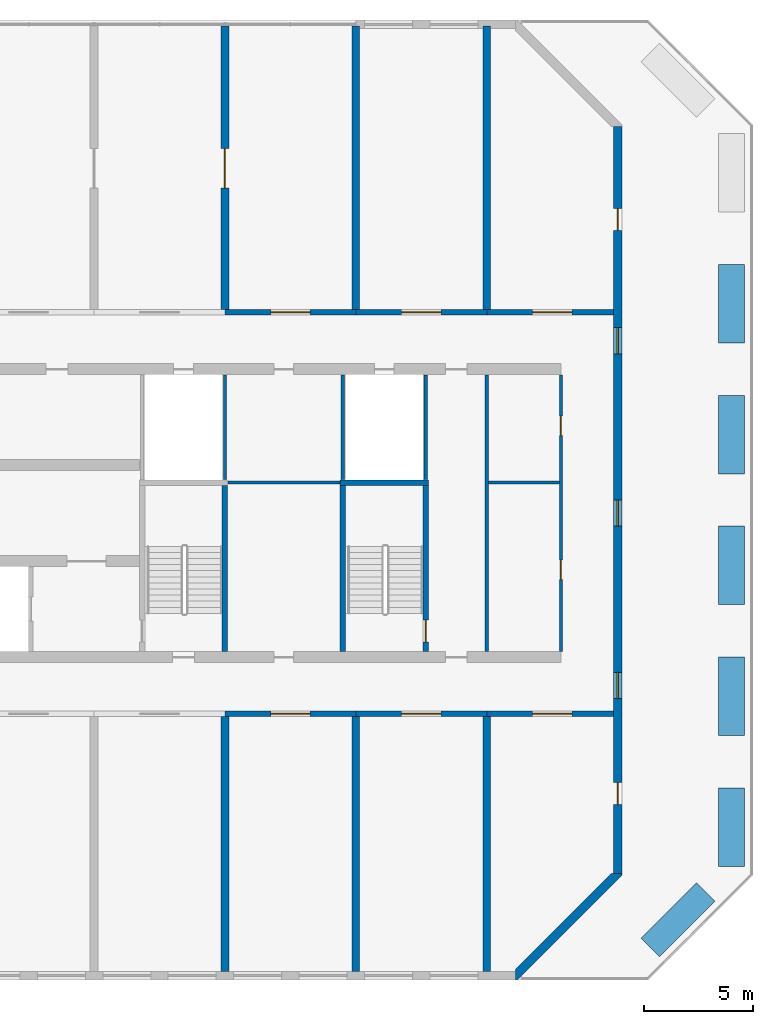
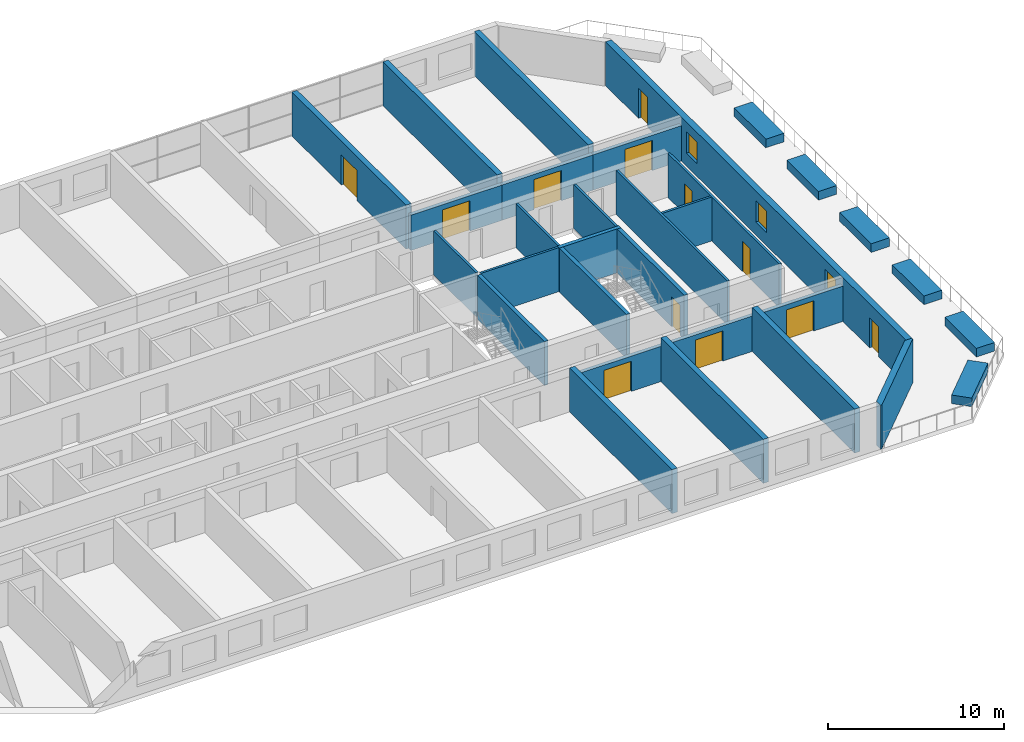
# One storey, part 13 of 18: 31 walls, 12 doors, 3 windows, 15 openings.
"""IFC4 building model written with IfcOpenShell, lengths in metres."""

import ifcopenshell
import ifcopenshell.guid

model = None  # the IFC model being written
_history = None  # IfcOwnerHistory: only IFC2X3 demands one
_inside = {}  # id of a spatial element -> (the spatial element, [elements in it])
_under = {}  # id of a project, library or spatial element -> (it, [spatial elements below it])
_declared = {}  # id of a project -> (the project, [libraries it declares])
_typed = {}  # id of a type object -> (the type object, [elements of that type])
_made_of = {}  # id of a material, layer set ... -> (it, [elements and type objects made of it])


def new_model(schema):
    """Start an empty IFC model of exactly this schema.

    Asked for "IFC4X3", IfcOpenShell would pick the latest addendum, in which some entities
    have other attributes; the version numbers below select the first issue.
    IFC2X3 requires an IfcOwnerHistory on every rooted entity: one is made here for all.
    """
    global model, _history
    if schema == "IFC4X3":
        model = ifcopenshell.file(schema_version=(4, 3, 0, 0))
    else:
        model = ifcopenshell.file(schema=schema)
    _inside.clear()
    _under.clear()
    _declared.clear()
    _typed.clear()
    _made_of.clear()
    _history = None
    if model.schema == "IFC2X3":
        org = make("IfcOrganization", Name="unknown")
        user = make(
            "IfcPersonAndOrganization",
            ThePerson=make("IfcPerson", FamilyName="unknown"),
            TheOrganization=org,
        )
        app = make(
            "IfcApplication",
            ApplicationDeveloper=org,
            Version="unknown",
            ApplicationFullName="unknown",
            ApplicationIdentifier="unknown",
        )
        _history = make(
            "IfcOwnerHistory",
            OwningUser=user,
            OwningApplication=app,
            ChangeAction="ADDED",
            CreationDate=0,
        )
    return model


def make(cls, **values):
    """One entity of the class cls with the attributes given. An attribute that is None is left unset."""
    return model.create_entity(
        cls, **{name: value for name, value in values.items() if value is not None}
    )


def rooted(cls, **values):
    """An entity with a GlobalId (a new one), such as an element, a storey or a relation."""
    return make(cls, GlobalId=ifcopenshell.guid.new(), OwnerHistory=_history, **values)


def si_unit(unit_type, name, prefix=None):
    """IfcSIUnit, for example si_unit("LENGTHUNIT", "METRE", prefix="MILLI")."""
    return make("IfcSIUnit", UnitType=unit_type, Prefix=prefix, Name=name)


def assignment(units):
    """IfcUnitAssignment: the units of a project."""
    return None if units is None else make("IfcUnitAssignment", Units=units)


def point(xyz):
    """IfcCartesianPoint."""
    return None if xyz is None else make("IfcCartesianPoint", Coordinates=xyz)


def direction(xyz):
    """IfcDirection."""
    return None if xyz is None else make("IfcDirection", DirectionRatios=xyz)


def frame(location, z_axis=None, x_axis=None):
    """IfcAxis2Placement3D, a coordinate frame: its origin and axes. An axis left out is left unset."""
    return make(
        "IfcAxis2Placement3D",
        Location=point(location),
        Axis=direction(z_axis),
        RefDirection=direction(x_axis),
    )


def frame_2d(location, x_axis=None):
    """IfcAxis2Placement2D, a coordinate frame in the plane: its origin and x axis."""
    return make(
        "IfcAxis2Placement2D", Location=point(location), RefDirection=direction(x_axis)
    )


def origin():
    """The frame at (0, 0, 0) with its axes left unset."""
    return frame((0.0, 0.0, 0.0))


def place(relative_to, where):
    """IfcLocalPlacement: puts the frame where relative to a parent placement (None: the world)."""
    return make(
        "IfcLocalPlacement", PlacementRelTo=relative_to, RelativePlacement=where
    )


def context(
    kind, dimensions, precision=None, world=None, true_north=None, identifier=None
):
    """IfcGeometricRepresentationContext, for example the 3D "Model" context."""
    return make(
        "IfcGeometricRepresentationContext",
        ContextIdentifier=identifier,
        ContextType=kind,
        CoordinateSpaceDimension=dimensions,
        Precision=precision,
        WorldCoordinateSystem=world,
        TrueNorth=true_north,
    )


def subcontext(parent, identifier, kind, view, scale=None):
    """IfcGeometricRepresentationSubContext, for example "Body" below "Model"."""
    return make(
        "IfcGeometricRepresentationSubContext",
        ContextIdentifier=identifier,
        ContextType=kind,
        ParentContext=parent,
        TargetScale=scale,
        TargetView=view,
    )


def project(units=None, contexts=None):
    """IfcProject with its units and contexts."""
    return rooted(
        "IfcProject",
        Name="project",
        RepresentationContexts=contexts,
        UnitsInContext=assignment(units),
    )


def spatial(cls, under=None, at=None, **own):
    """A site, building, storey or space (cls), placed at a placement, below another one or the project."""
    s = rooted(cls, ObjectPlacement=at, **own)
    if under is not None:
        _under.setdefault(under.id(), (under, []))[1].append(s)
    return s


def polyline(points):
    """IfcPolyline through the points."""
    return make("IfcPolyline", Points=[point(p) for p in points])


def profile(cls, at=None, kind="AREA", **sizes):
    """A parametric profile (cls). Its sizes go by their IFC names, for example OverallWidth=200.0."""
    return make(cls, ProfileType=kind, Position=at, **sizes)


def rectangle(**sizes):
    """IfcRectangleProfileDef."""
    return profile("IfcRectangleProfileDef", **sizes)


def outline(outer, holes=None, kind="AREA"):
    """IfcArbitraryClosedProfileDef: a profile drawn as a closed curve; with holes, ...WithVoids."""
    if holes is None:
        return make("IfcArbitraryClosedProfileDef", ProfileType=kind, OuterCurve=outer)
    return make(
        "IfcArbitraryProfileDefWithVoids",
        ProfileType=kind,
        OuterCurve=outer,
        InnerCurves=holes,
    )


def extrude(swept, where, along, depth):
    """IfcExtrudedAreaSolid: the profile swept, set in the frame where, extruded along a direction by depth."""
    return make(
        "IfcExtrudedAreaSolid",
        SweptArea=swept,
        Position=where,
        ExtrudedDirection=direction(along),
        Depth=depth,
    )


def shape(context_of_items, identifier, shape_type, items):
    """IfcShapeRepresentation: the items that make up one representation, for example the "Body"."""
    return make(
        "IfcShapeRepresentation",
        ContextOfItems=context_of_items,
        RepresentationIdentifier=identifier,
        RepresentationType=shape_type,
        Items=items,
    )


def source(mapping_origin, context_of_items, identifier, shape_type, items):
    """IfcRepresentationMap: a shape defined once, which mapped items show again and again."""
    return make(
        "IfcRepresentationMap",
        MappingOrigin=mapping_origin,
        MappedRepresentation=shape(context_of_items, identifier, shape_type, items),
    )


def transform(
    local_origin,
    x_axis=None,
    y_axis=None,
    z_axis=None,
    scale=None,
    scale2=None,
    scale3=None,
    uniform=True,
):
    """IfcCartesianTransformationOperator3D, or its non-uniform kind. x_axis, y_axis, z_axis: its Axis1, 2, 3."""
    if uniform:
        return make(
            "IfcCartesianTransformationOperator3D",
            Axis1=direction(x_axis),
            Axis2=direction(y_axis),
            LocalOrigin=point(local_origin),
            Scale=scale,
            Axis3=direction(z_axis),
        )
    return make(
        "IfcCartesianTransformationOperator3DnonUniform",
        Axis1=direction(x_axis),
        Axis2=direction(y_axis),
        LocalOrigin=point(local_origin),
        Scale=scale,
        Axis3=direction(z_axis),
        Scale2=scale2,
        Scale3=scale3,
    )


def mapped(mapping_source, mapping_target):
    """IfcMappedItem: shows the shape of a source again, moved by a transform."""
    return make(
        "IfcMappedItem", MappingSource=mapping_source, MappingTarget=mapping_target
    )


def material(Name=None, Category=None):
    """IfcMaterial."""
    return make("IfcMaterial", Name=Name, Category=Category)


def layer(
    of_material, thickness, ventilated=None, Name=None, Category=None, Priority=None
):
    """IfcMaterialLayer: one layer of a wall or slab, of a material (None: an air gap)."""
    return make(
        "IfcMaterialLayer",
        Material=of_material,
        LayerThickness=thickness,
        IsVentilated=ventilated,
        Name=Name,
        Category=Category,
        Priority=Priority,
    )


def layer_set(layers, Name=None):
    """IfcMaterialLayerSet."""
    return make("IfcMaterialLayerSet", MaterialLayers=layers, LayerSetName=Name)


def made_of(thing, what):
    """Note that an element or type object is made of a material, layer set ...; save() writes the relation."""
    if what is not None:
        _made_of.setdefault(what.id(), (what, []))[1].append(thing)
    return thing


def type_object(cls, material=None, **own):
    """A type object (cls), such as IfcWallType, which elements share."""
    return made_of(rooted(cls, **own), material)


def element(
    cls,
    number,
    at=None,
    inside=None,
    cuts=None,
    type_object=None,
    material=None,
    context=None,
    identifier="Body",
    shape_type=None,
    held_by="IfcProductDefinitionShape",
    body=None,
    shapes=None,
    **own,
):
    """One element of the class cls, such as IfcWall. Its Tag is "e" and its number.

    at: its placement. inside: the storey or other place that contains it. cuts: it is an
    opening in that element (IfcRelVoidsElement). A single representation is given by context,
    identifier, shape_type and body (its items); several are given by shapes. held_by: the class
    of the entity that holds the representations. save() writes the other relations.
    """
    e = rooted(cls, Tag="e%d" % number, ObjectPlacement=at, **own)
    if body is not None:
        shapes = [shape(context, identifier, shape_type, body)]
    if shapes is not None:
        e.Representation = make(held_by, Representations=shapes)
    if inside is not None:
        _inside.setdefault(inside.id(), (inside, []))[1].append(e)
    if cuts is not None:
        rooted(
            "IfcRelVoidsElement", RelatingBuildingElement=cuts, RelatedOpeningElement=e
        )
    if type_object is not None:
        _typed.setdefault(type_object.id(), (type_object, []))[1].append(e)
    return made_of(e, material)


def fill(opening, filler):
    """IfcRelFillsElement: the door or window that sits in an opening."""
    return rooted(
        "IfcRelFillsElement",
        RelatingOpeningElement=opening,
        RelatedBuildingElement=filler,
    )


def aggregate(whole, parts):
    """IfcRelAggregates: a whole, such as a stair, and the parts it consists of."""
    return rooted("IfcRelAggregates", RelatingObject=whole, RelatedObjects=parts)


def save(model, path):
    """Write the relations noted so far, then the file.

    IfcRelAggregates (storeys below a building ...), IfcRelContainedInSpatialStructure (elements
    in a storey), IfcRelDefinesByType, IfcRelAssociatesMaterial and IfcRelDeclares: one each for
    every whole, place, type object, material and project.
    """
    for whole, parts in _under.values():
        aggregate(whole, parts)
    for where, things in _inside.values():
        rooted(
            "IfcRelContainedInSpatialStructure",
            RelatedElements=things,
            RelatingStructure=where,
        )
    for kind, things in _typed.values():
        rooted("IfcRelDefinesByType", RelatedObjects=things, RelatingType=kind)
    for what, things in _made_of.values():
        rooted("IfcRelAssociatesMaterial", RelatedObjects=things, RelatingMaterial=what)
    for by, libraries in _declared.values():
        rooted("IfcRelDeclares", RelatingContext=by, RelatedDefinitions=libraries)
    model.write(path)


model = new_model("IFC4")

# Units and contexts
model_context = context("Model", 3, precision=1e-05, world=origin(), true_north=direction((0.0, 1.0)))
body_context = subcontext(model_context, "Body", "Model", "MODEL_VIEW")
ifc_project = project(units=[si_unit("LENGTHUNIT", "METRE"), si_unit("AREAUNIT", "SQUARE_METRE"), si_unit("VOLUMEUNIT", "CUBIC_METRE"), si_unit("PLANEANGLEUNIT", "RADIAN"), si_unit("MASSUNIT", "GRAM", prefix="KILO")], contexts=[model_context])

# Site, building, storey
site_placement = place(None, origin())
site = spatial("IfcSite", under=ifc_project, at=site_placement, CompositionType="ELEMENT")
building_placement = place(site_placement, origin())
building = spatial("IfcBuilding", under=site, at=building_placement, Name="Poui Terraces", CompositionType="ELEMENT")
storey_placement = place(building_placement, frame((0.0, 0.0, 105.89990234375)))
storey = spatial("IfcBuildingStorey", under=building, at=storey_placement, Name="L29", CompositionType="ELEMENT", Elevation=105.89990234375)

# Wall
ifc_material_1 = material(Name="Fire-rated plasterboard wall")
ifc_layer_1 = layer(ifc_material_1, 0.14990234375)
ifc_layer_set_1 = layer_set([ifc_layer_1], Name="Fire-rated plasterboard wall")
wall_type_1 = type_object("IfcWallType", Name="CORRIDOR WALL 150", PredefinedType="PARTITIONING", material=ifc_layer_set_1)
wall_1_placement = place(storey_placement, frame((84.0, 14.860107421875, 0.0), z_axis=(0.0, 0.0, 1.0), x_axis=(0.0, 1.0, 0.0)))
element("IfcWall", 1, at=wall_1_placement, inside=storey, type_object=wall_type_1, Name="CORRIDOR WALL 150", PredefinedType="PARTITIONING", context=body_context, shape_type="SweptSolid", body=[
    extrude(rectangle(XDim=12.679931640625, YDim=0.14990234375, at=frame_2d((6.33984375, 0.0))), origin(), (0.0, 0.0, 1.0), 3.06005859375),
])

# Wall, openings, doors
wall_2_placement = place(storey_placement, frame((87.39990234375, 14.860107421875, 0.0), z_axis=(0.0, 0.0, 1.0), x_axis=(0.0, 1.0, 0.0)))
wall_2 = element("IfcWall", 2, at=wall_2_placement, inside=storey, type_object=wall_type_1, Name="CORRIDOR WALL 150", PredefinedType="PARTITIONING", context=body_context, shape_type="SweptSolid", body=[
    extrude(rectangle(XDim=12.679931640625, YDim=0.14990234375, at=frame_2d((6.33984375, 0.0))), origin(), (0.0, 0.0, 1.0), 3.06005859375),
])
opening_1_placement = place(wall_2_placement, frame((3.2900390625, 0.0, 0.0)))
opening_1 = element("IfcOpeningElement", 3, at=opening_1_placement, cuts=wall_2, Name="Opening D90", PredefinedType="OPENING", context=body_context, shape_type="SweptSolid", body=[
    extrude(rectangle(XDim=0.89990234375, YDim=2.10009765625, at=frame_2d((0.449951171875, 1.050048828125))), frame((0.0, 0.0849609375, 0.0), z_axis=(0.0, -1.0, 0.0), x_axis=(1.0, 0.0, 0.0)), (0.0, 0.0, 1.0), 0.169921875),
])
opening_2_placement = place(wall_2_placement, frame((9.889892578125, 0.0, 0.0)))
opening_2 = element("IfcOpeningElement", 4, at=opening_2_placement, cuts=wall_2, Name="Opening D90", PredefinedType="OPENING", context=body_context, shape_type="SweptSolid", body=[
    extrude(rectangle(XDim=0.89990234375, YDim=2.10009765625, at=frame_2d((0.449951171875, 1.050048828125))), frame((0.0, 0.0849609375, 0.0), z_axis=(0.0, -1.0, 0.0), x_axis=(1.0, 0.0, 0.0)), (0.0, 0.0, 1.0), 0.169921875),
])
ifc_material_2 = material(Name="Solid core timber door", Category="wood")
door_type_1 = type_object("IfcDoorType", Name="INTERNAL DOOR 900 X 2100", OperationType="NOTDEFINED", PredefinedType="DOOR", material=ifc_material_2)
door_1_placement = place(opening_1_placement, frame((0.89990234375, 0.0, 0.0), z_axis=(0.0, 0.0, 1.0), x_axis=(-1.0, 0.0, 0.0)))
door_1 = element("IfcDoor", 5, at=door_1_placement, inside=storey, type_object=door_type_1, Name="INTERNAL DOOR 001", OperationType="SINGLE_SWING_LEFT", OverallHeight=2.10009765625, OverallWidth=0.89990234375, PredefinedType="DOOR", context=body_context, shape_type="SweptSolid", body=[
    extrude(rectangle(XDim=0.89990234375, YDim=2.10009765625, at=frame_2d((0.449951171875, 1.050048828125))), frame((0.0, 0.02490234375, 0.0), z_axis=(0.0, -1.0, 0.0), x_axis=(1.0, 0.0, 0.0)), (0.0, 0.0, 1.0), 0.050048828125),
])
fill(opening_1, door_1)
door_2_placement = place(opening_2_placement, frame((0.89990234375, 0.0, 0.0), z_axis=(0.0, 0.0, 1.0), x_axis=(-1.0, 0.0, 0.0)))
door_2 = element("IfcDoor", 6, at=door_2_placement, inside=storey, type_object=door_type_1, Name="INTERNAL DOOR 002", OperationType="SINGLE_SWING_RIGHT", OverallHeight=2.10009765625, OverallWidth=0.89990234375, PredefinedType="DOOR", context=body_context, shape_type="SweptSolid", body=[
    extrude(rectangle(XDim=0.89990234375, YDim=2.10009765625, at=frame_2d((0.449951171875, 1.050048828125))), frame((0.0, 0.02490234375, 0.0), z_axis=(0.0, -1.0, 0.0), x_axis=(1.0, 0.0, 0.0)), (0.0, 0.0, 1.0), 0.050048828125),
])
fill(opening_2, door_2)

# Wall, opening, door
ifc_material_3 = material(Name="Concrete 65 MPa", Category="concrete")
ifc_layer_2 = layer(ifc_material_3, 0.25)
ifc_layer_set_2 = layer_set([ifc_layer_2], Name="Concrete 65 MPa")
wall_type_2 = type_object("IfcWallType", Name="CORRIDOR WALL 250 65MPa", PredefinedType="SHEAR", material=ifc_layer_set_2)
wall_3_placement = place(storey_placement, frame((72.0, 12.0, 0.0), z_axis=(0.0, 0.0, 1.0), x_axis=(1.0, 0.0, 0.0)))
wall_3 = element("IfcWall", 7, at=wall_3_placement, inside=storey, type_object=wall_type_2, Name="CORRIDOR WALL LINE B BAY 11", PredefinedType="SHEAR", context=body_context, shape_type="SweptSolid", body=[
    extrude(rectangle(XDim=6.0, YDim=0.25, at=frame_2d((3.0, 0.0))), origin(), (0.0, 0.0, 1.0), 2.460205078125),
])
opening_3_placement = place(wall_3_placement, frame((2.10009765625, 0.0, 0.0)))
opening_3 = element("IfcOpeningElement", 8, at=opening_3_placement, cuts=wall_3, Name="Opening DD180", PredefinedType="OPENING", context=body_context, shape_type="SweptSolid", body=[
    extrude(rectangle(XDim=1.800048828125, YDim=2.10009765625, at=frame_2d((0.89990234375, 1.050048828125))), frame((0.0, 0.135009765625, 0.0), z_axis=(0.0, -1.0, 0.0), x_axis=(1.0, 0.0, 0.0)), (0.0, 0.0, 1.0), 0.27001953125),
])
ifc_material_4 = material(Name="Steel fire door", Category="steel")
door_type_2 = type_object("IfcDoorType", Name="DOUBLE INTERNAL DOOR 1800 X 2100", OperationType="DOUBLE_DOOR_SINGLE_SWING", PredefinedType="DOOR", material=ifc_material_4)
door_3_placement = place(opening_3_placement, origin())
door_3 = element("IfcDoor", 9, at=door_3_placement, inside=storey, type_object=door_type_2, Name="DOUBLE INTERNAL DOOR 050", OperationType="DOUBLE_DOOR_SINGLE_SWING", OverallHeight=2.10009765625, OverallWidth=1.800048828125, PredefinedType="DOOR", context=body_context, shape_type="SweptSolid", body=[
    extrude(rectangle(XDim=1.800048828125, YDim=2.10009765625, at=frame_2d((0.89990234375, 1.050048828125))), frame((0.0, 0.02490234375, 0.0), z_axis=(0.0, -1.0, 0.0), x_axis=(1.0, 0.0, 0.0)), (0.0, 0.0, 1.0), 0.050048828125),
])
fill(opening_3, door_3)

wall_4_placement = place(storey_placement, frame((78.0, 12.0, 0.0), z_axis=(0.0, 0.0, 1.0), x_axis=(1.0, 0.0, 0.0)))
wall_4 = element("IfcWall", 10, at=wall_4_placement, inside=storey, type_object=wall_type_2, Name="CORRIDOR WALL LINE B BAY 12", PredefinedType="SHEAR", context=body_context, shape_type="SweptSolid", body=[
    extrude(rectangle(XDim=6.0, YDim=0.25, at=frame_2d((3.0, 0.0))), origin(), (0.0, 0.0, 1.0), 2.460205078125),
])
opening_4_placement = place(wall_4_placement, frame((2.10009765625, 0.0, 0.0)))
opening_4 = element("IfcOpeningElement", 11, at=opening_4_placement, cuts=wall_4, Name="Opening DD180", PredefinedType="OPENING", context=body_context, shape_type="SweptSolid", body=[
    extrude(rectangle(XDim=1.800048828125, YDim=2.10009765625, at=frame_2d((0.89990234375, 1.050048828125))), frame((0.0, 0.135009765625, 0.0), z_axis=(0.0, -1.0, 0.0), x_axis=(1.0, 0.0, 0.0)), (0.0, 0.0, 1.0), 0.27001953125),
])
door_4_placement = place(opening_4_placement, origin())
door_4 = element("IfcDoor", 12, at=door_4_placement, inside=storey, type_object=door_type_2, Name="DOUBLE INTERNAL DOOR 051", OperationType="DOUBLE_DOOR_SINGLE_SWING", OverallHeight=2.10009765625, OverallWidth=1.800048828125, PredefinedType="DOOR", context=body_context, shape_type="SweptSolid", body=[
    extrude(rectangle(XDim=1.800048828125, YDim=2.10009765625, at=frame_2d((0.89990234375, 1.050048828125))), frame((0.0, 0.02490234375, 0.0), z_axis=(0.0, -1.0, 0.0), x_axis=(1.0, 0.0, 0.0)), (0.0, 0.0, 1.0), 0.050048828125),
])
fill(opening_4, door_4)

wall_5_placement = place(storey_placement, frame((84.0, 12.0, 0.0), z_axis=(0.0, 0.0, 1.0), x_axis=(1.0, 0.0, 0.0)))
wall_5 = element("IfcWall", 13, at=wall_5_placement, inside=storey, type_object=wall_type_2, Name="CORRIDOR WALL LINE B BAY 13", PredefinedType="SHEAR", context=body_context, shape_type="SweptSolid", body=[
    extrude(rectangle(XDim=5.800048828125, YDim=0.25, at=frame_2d((2.89990234375, 0.0))), origin(), (0.0, 0.0, 1.0), 2.460205078125),
])
opening_5_placement = place(wall_5_placement, frame((2.10009765625, 0.0, 0.0)))
opening_5 = element("IfcOpeningElement", 14, at=opening_5_placement, cuts=wall_5, Name="Opening DD180", PredefinedType="OPENING", context=body_context, shape_type="SweptSolid", body=[
    extrude(rectangle(XDim=1.800048828125, YDim=2.10009765625, at=frame_2d((0.89990234375, 1.050048828125))), frame((0.0, 0.135009765625, 0.0), z_axis=(0.0, -1.0, 0.0), x_axis=(1.0, 0.0, 0.0)), (0.0, 0.0, 1.0), 0.27001953125),
])
door_5_placement = place(opening_5_placement, origin())
door_5 = element("IfcDoor", 15, at=door_5_placement, inside=storey, type_object=door_type_2, Name="DOUBLE INTERNAL DOOR 053", OperationType="DOUBLE_DOOR_SINGLE_SWING", OverallHeight=2.10009765625, OverallWidth=1.800048828125, PredefinedType="DOOR", context=body_context, shape_type="SweptSolid", body=[
    extrude(rectangle(XDim=1.800048828125, YDim=2.10009765625, at=frame_2d((0.89990234375, 1.050048828125))), frame((0.0, 0.02490234375, 0.0), z_axis=(0.0, -1.0, 0.0), x_axis=(1.0, 0.0, 0.0)), (0.0, 0.0, 1.0), 0.050048828125),
])
fill(opening_5, door_5)

wall_6_placement = place(storey_placement, frame((72.0, 30.39990234375, 0.0), z_axis=(0.0, 0.0, 1.0), x_axis=(1.0, 0.0, 0.0)))
wall_6 = element("IfcWall", 16, at=wall_6_placement, inside=storey, type_object=wall_type_2, Name="CORRIDOR WALL LINE E BAY 11", PredefinedType="SHEAR", context=body_context, shape_type="SweptSolid", body=[
    extrude(rectangle(XDim=6.0, YDim=0.25, at=frame_2d((3.0, 0.0))), origin(), (0.0, 0.0, 1.0), 2.460205078125),
])
opening_6_placement = place(wall_6_placement, frame((2.10009765625, 0.0, 0.0)))
opening_6 = element("IfcOpeningElement", 17, at=opening_6_placement, cuts=wall_6, Name="Opening DD180", PredefinedType="OPENING", context=body_context, shape_type="SweptSolid", body=[
    extrude(rectangle(XDim=1.800048828125, YDim=2.10009765625, at=frame_2d((0.89990234375, 1.050048828125))), frame((0.0, 0.135009765625, 0.0), z_axis=(0.0, -1.0, 0.0), x_axis=(1.0, 0.0, 0.0)), (0.0, 0.0, 1.0), 0.27001953125),
])
door_6_placement = place(opening_6_placement, frame((1.800048828125, 0.0, 0.0), z_axis=(0.0, 0.0, 1.0), x_axis=(-1.0, 0.0, 0.0)))
door_6 = element("IfcDoor", 18, at=door_6_placement, inside=storey, type_object=door_type_2, Name="DOUBLE INTERNAL DOOR 026", OperationType="DOUBLE_DOOR_SINGLE_SWING", OverallHeight=2.10009765625, OverallWidth=1.800048828125, PredefinedType="DOOR", context=body_context, shape_type="SweptSolid", body=[
    extrude(rectangle(XDim=1.800048828125, YDim=2.10009765625, at=frame_2d((0.89990234375, 1.050048828125))), frame((0.0, 0.02490234375, 0.0), z_axis=(0.0, -1.0, 0.0), x_axis=(1.0, 0.0, 0.0)), (0.0, 0.0, 1.0), 0.050048828125),
])
fill(opening_6, door_6)

wall_7_placement = place(storey_placement, frame((78.0, 30.39990234375, 0.0), z_axis=(0.0, 0.0, 1.0), x_axis=(1.0, 0.0, 0.0)))
wall_7 = element("IfcWall", 19, at=wall_7_placement, inside=storey, type_object=wall_type_2, Name="CORRIDOR WALL LINE E BAY 12", PredefinedType="SHEAR", context=body_context, shape_type="SweptSolid", body=[
    extrude(rectangle(XDim=6.0, YDim=0.25, at=frame_2d((3.0, 0.0))), origin(), (0.0, 0.0, 1.0), 2.460205078125),
])
opening_7_placement = place(wall_7_placement, frame((2.10009765625, 0.0, 0.0)))
opening_7 = element("IfcOpeningElement", 20, at=opening_7_placement, cuts=wall_7, Name="Opening DD180", PredefinedType="OPENING", context=body_context, shape_type="SweptSolid", body=[
    extrude(rectangle(XDim=1.800048828125, YDim=2.10009765625, at=frame_2d((0.89990234375, 1.050048828125))), frame((0.0, 0.135009765625, 0.0), z_axis=(0.0, -1.0, 0.0), x_axis=(1.0, 0.0, 0.0)), (0.0, 0.0, 1.0), 0.27001953125),
])
door_7_placement = place(opening_7_placement, frame((1.800048828125, 0.0, 0.0), z_axis=(0.0, 0.0, 1.0), x_axis=(-1.0, 0.0, 0.0)))
door_7 = element("IfcDoor", 21, at=door_7_placement, inside=storey, type_object=door_type_2, Name="DOUBLE INTERNAL DOOR 028", OperationType="DOUBLE_DOOR_SINGLE_SWING", OverallHeight=2.10009765625, OverallWidth=1.800048828125, PredefinedType="DOOR", context=body_context, shape_type="SweptSolid", body=[
    extrude(rectangle(XDim=1.800048828125, YDim=2.10009765625, at=frame_2d((0.89990234375, 1.050048828125))), frame((0.0, 0.02490234375, 0.0), z_axis=(0.0, -1.0, 0.0), x_axis=(1.0, 0.0, 0.0)), (0.0, 0.0, 1.0), 0.050048828125),
])
fill(opening_7, door_7)

wall_8_placement = place(storey_placement, frame((84.0, 30.39990234375, 0.0), z_axis=(0.0, 0.0, 1.0), x_axis=(1.0, 0.0, 0.0)))
wall_8 = element("IfcWall", 22, at=wall_8_placement, inside=storey, type_object=wall_type_2, Name="CORRIDOR WALL LINE E BAY 13", PredefinedType="SHEAR", context=body_context, shape_type="SweptSolid", body=[
    extrude(rectangle(XDim=5.800048828125, YDim=0.25, at=frame_2d((2.89990234375, 0.0))), origin(), (0.0, 0.0, 1.0), 2.460205078125),
])
opening_8_placement = place(wall_8_placement, frame((2.10009765625, 0.0, 0.0)))
opening_8 = element("IfcOpeningElement", 23, at=opening_8_placement, cuts=wall_8, Name="Opening DD180", PredefinedType="OPENING", context=body_context, shape_type="SweptSolid", body=[
    extrude(rectangle(XDim=1.800048828125, YDim=2.10009765625, at=frame_2d((0.89990234375, 1.050048828125))), frame((0.0, 0.135009765625, 0.0), z_axis=(0.0, -1.0, 0.0), x_axis=(1.0, 0.0, 0.0)), (0.0, 0.0, 1.0), 0.27001953125),
])
door_8_placement = place(opening_8_placement, frame((1.800048828125, 0.0, 0.0), z_axis=(0.0, 0.0, 1.0), x_axis=(-1.0, 0.0, 0.0)))
door_8 = element("IfcDoor", 24, at=door_8_placement, inside=storey, type_object=door_type_2, Name="DOUBLE INTERNAL DOOR 030", OperationType="DOUBLE_DOOR_SINGLE_SWING", OverallHeight=2.10009765625, OverallWidth=1.800048828125, PredefinedType="DOOR", context=body_context, shape_type="SweptSolid", body=[
    extrude(rectangle(XDim=1.800048828125, YDim=2.10009765625, at=frame_2d((0.89990234375, 1.050048828125))), frame((0.0, 0.02490234375, 0.0), z_axis=(0.0, -1.0, 0.0), x_axis=(1.0, 0.0, 0.0)), (0.0, 0.0, 1.0), 0.050048828125),
])
fill(opening_8, door_8)

# Wall
ifc_layer_3 = layer(ifc_material_3, 0.35009765625)
ifc_layer_set_3 = layer_set([ifc_layer_3], Name="Concrete 65 MPa")
wall_type_3 = type_object("IfcWallType", Name="CROSS WALL 350 65MPa", PredefinedType="SHEAR", material=ifc_layer_set_3)
wall_9_placement = place(storey_placement, frame((72.0, 0.199951171875, 0.0), z_axis=(0.0, 0.0, 1.0), x_axis=(0.0, 1.0, 0.0)))
element("IfcWall", 25, at=wall_9_placement, inside=storey, type_object=wall_type_3, Name="CROSS WALL LINE 13 SOUTH", PredefinedType="SHEAR", context=body_context, shape_type="SweptSolid", body=[
    extrude(rectangle(XDim=11.675048828125, YDim=0.35009765625, at=frame_2d((5.83740234375, 0.0))), origin(), (0.0, 0.0, 1.0), 3.06005859375),
])

# Wall, opening, door
wall_10_placement = place(storey_placement, frame((72.0, 30.52490234375, 0.0), z_axis=(0.0, 0.0, 1.0), x_axis=(0.0, 1.0, 0.0)))
wall_10 = element("IfcWall", 26, at=wall_10_placement, inside=storey, type_object=wall_type_3, Name="CROSS WALL LINE 13 NORTH", PredefinedType="SHEAR", context=body_context, shape_type="SweptSolid", body=[
    extrude(rectangle(XDim=13.0, YDim=0.35009765625, at=frame_2d((6.5, 0.0))), origin(), (0.0, 0.0, 1.0), 3.06005859375),
])
opening_9_placement = place(wall_10_placement, frame((5.574951171875, 0.0, 0.0)))
opening_9 = element("IfcOpeningElement", 27, at=opening_9_placement, cuts=wall_10, Name="Opening DD180", PredefinedType="OPENING", context=body_context, shape_type="SweptSolid", body=[
    extrude(rectangle(XDim=1.800048828125, YDim=2.10009765625, at=frame_2d((0.89990234375, 1.050048828125))), frame((0.0, 0.18505859375, 0.0), z_axis=(0.0, -1.0, 0.0), x_axis=(1.0, 0.0, 0.0)), (0.0, 0.0, 1.0), 0.3701171875),
])
door_9_placement = place(opening_9_placement, origin())
door_9 = element("IfcDoor", 28, at=door_9_placement, inside=storey, type_object=door_type_2, Name="DOUBLE INTERNAL DOOR 063", OperationType="DOUBLE_DOOR_SINGLE_SWING", OverallHeight=2.10009765625, OverallWidth=1.800048828125, PredefinedType="DOOR", context=body_context, shape_type="SweptSolid", body=[
    extrude(rectangle(XDim=1.800048828125, YDim=2.10009765625, at=frame_2d((0.89990234375, 1.050048828125))), frame((0.0, 0.02490234375, 0.0), z_axis=(0.0, -1.0, 0.0), x_axis=(1.0, 0.0, 0.0)), (0.0, 0.0, 1.0), 0.050048828125),
])
fill(opening_9, door_9)

# Walls
wall_11_placement = place(storey_placement, frame((78.0, 0.199951171875, 0.0), z_axis=(0.0, 0.0, 1.0), x_axis=(0.0, 1.0, 0.0)))
element("IfcWall", 29, at=wall_11_placement, inside=storey, type_object=wall_type_3, Name="CROSS WALL LINE 14 SOUTH", PredefinedType="SHEAR", context=body_context, shape_type="SweptSolid", body=[
    extrude(rectangle(XDim=11.675048828125, YDim=0.35009765625, at=frame_2d((5.83740234375, 0.0))), origin(), (0.0, 0.0, 1.0), 3.06005859375),
])
wall_12_placement = place(storey_placement, frame((78.0, 30.52490234375, 0.0), z_axis=(0.0, 0.0, 1.0), x_axis=(0.0, 1.0, 0.0)))
element("IfcWall", 30, at=wall_12_placement, inside=storey, type_object=wall_type_3, Name="CROSS WALL LINE 14 NORTH", PredefinedType="SHEAR", context=body_context, shape_type="SweptSolid", body=[
    extrude(rectangle(XDim=13.0, YDim=0.35009765625, at=frame_2d((6.5, 0.0))), origin(), (0.0, 0.0, 1.0), 3.06005859375),
])
wall_13_placement = place(storey_placement, frame((84.0, 0.199951171875, 0.0), z_axis=(0.0, 0.0, 1.0), x_axis=(0.0, 1.0, 0.0)))
element("IfcWall", 31, at=wall_13_placement, inside=storey, type_object=wall_type_3, Name="CROSS WALL LINE 15 SOUTH", PredefinedType="SHEAR", context=body_context, shape_type="SweptSolid", body=[
    extrude(rectangle(XDim=11.675048828125, YDim=0.35009765625, at=frame_2d((5.83740234375, 0.0))), origin(), (0.0, 0.0, 1.0), 3.06005859375),
])
wall_14_placement = place(storey_placement, frame((84.0, 30.52490234375, 0.0), z_axis=(0.0, 0.0, 1.0), x_axis=(0.0, 1.0, 0.0)))
element("IfcWall", 32, at=wall_14_placement, inside=storey, type_object=wall_type_3, Name="CROSS WALL LINE 15 NORTH", PredefinedType="SHEAR", context=body_context, shape_type="SweptSolid", body=[
    extrude(rectangle(XDim=13.0, YDim=0.35009765625, at=frame_2d((6.5, 0.0))), origin(), (0.0, 0.0, 1.0), 3.06005859375),
])

# Wall, openings, doors, windows
ifc_layer_4 = layer(ifc_material_3, 0.39990234375)
ifc_layer_set_4 = layer_set([ifc_layer_4], Name="Concrete 65 MPa")
wall_type_4 = type_object("IfcWallType", Name="END WALL 400 65MPa", PredefinedType="SHEAR", material=ifc_layer_set_4)
wall_15_placement = place(storey_placement, frame((90.0, 4.682861328125, 0.0), z_axis=(0.0, 0.0, 1.0), x_axis=(0.0, 1.0, 0.0)))
wall_15 = element("IfcWall", 33, at=wall_15_placement, inside=storey, type_object=wall_type_4, Name="END WALL EAST", PredefinedType="SHEAR", context=body_context, shape_type="SweptSolid", body=[
    extrude(rectangle(XDim=34.234375, YDim=0.39990234375, at=frame_2d((17.1171875, 0.0))), origin(), (0.0, 0.0, 1.0), 3.06005859375),
])
opening_10_placement = place(wall_15_placement, frame((15.917236328125, 0.0, 0.89990234375)))
opening_10 = element("IfcOpeningElement", 34, at=opening_10_placement, cuts=wall_15, Name="Opening W2", PredefinedType="OPENING", context=body_context, shape_type="SweptSolid", body=[
    extrude(rectangle(XDim=1.199951171875, YDim=1.5, at=frame_2d((0.60009765625, 0.75))), frame((0.0, 0.2099609375, 0.0), z_axis=(0.0, -1.0, 0.0), x_axis=(1.0, 0.0, 0.0)), (0.0, 0.0, 1.0), 0.419921875),
])
opening_11_placement = place(wall_15_placement, frame((23.817138671875, 0.0, 0.89990234375)))
opening_11 = element("IfcOpeningElement", 35, at=opening_11_placement, cuts=wall_15, Name="Opening W2", PredefinedType="OPENING", context=body_context, shape_type="SweptSolid", body=[
    extrude(rectangle(XDim=1.199951171875, YDim=1.5, at=frame_2d((0.60009765625, 0.75))), frame((0.0, 0.2099609375, 0.0), z_axis=(0.0, -1.0, 0.0), x_axis=(1.0, 0.0, 0.0)), (0.0, 0.0, 1.0), 0.419921875),
])
opening_12_placement = place(wall_15_placement, frame((8.01708984375, 0.0, 0.89990234375)))
opening_12 = element("IfcOpeningElement", 36, at=opening_12_placement, cuts=wall_15, Name="Opening W2", PredefinedType="OPENING", context=body_context, shape_type="SweptSolid", body=[
    extrude(rectangle(XDim=1.199951171875, YDim=1.5, at=frame_2d((0.60009765625, 0.75))), frame((0.0, 0.2099609375, 0.0), z_axis=(0.0, -1.0, 0.0), x_axis=(1.0, 0.0, 0.0)), (0.0, 0.0, 1.0), 0.419921875),
])
opening_13_placement = place(wall_15_placement, frame((29.4755859375, 0.0, 0.0)))
opening_13 = element("IfcOpeningElement", 37, at=opening_13_placement, cuts=wall_15, Name="Opening XD100", PredefinedType="OPENING", context=body_context, shape_type="SweptSolid", body=[
    extrude(rectangle(XDim=1.0, YDim=2.10009765625, at=frame_2d((0.5, 1.050048828125))), frame((0.0, 0.2099609375, 0.0), z_axis=(0.0, -1.0, 0.0), x_axis=(1.0, 0.0, 0.0)), (0.0, 0.0, 1.0), 0.419921875),
])
opening_14_placement = place(wall_15_placement, frame((3.15869140625, 0.0, 0.0)))
opening_14 = element("IfcOpeningElement", 38, at=opening_14_placement, cuts=wall_15, Name="Opening XD100", PredefinedType="OPENING", context=body_context, shape_type="SweptSolid", body=[
    extrude(rectangle(XDim=1.0, YDim=2.10009765625, at=frame_2d((0.5, 1.050048828125))), frame((0.0, 0.2099609375, 0.0), z_axis=(0.0, -1.0, 0.0), x_axis=(1.0, 0.0, 0.0)), (0.0, 0.0, 1.0), 0.419921875),
])
ifc_material_5 = material(Name="Aluminium glazed door", Category="aluminium")
door_type_3 = type_object("IfcDoorType", Name="EXTERNAL DOOR 1000 X 2100", OperationType="NOTDEFINED", PredefinedType="DOOR", material=ifc_material_5)
door_10_placement = place(opening_13_placement, frame((1.0, 0.0, 0.0), z_axis=(0.0, 0.0, 1.0), x_axis=(-1.0, 0.0, 0.0)))
door_10 = element("IfcDoor", 39, at=door_10_placement, inside=storey, type_object=door_type_3, Name="EXTERNAL DOOR 064", OperationType="SINGLE_SWING_LEFT", OverallHeight=2.10009765625, OverallWidth=1.0, PredefinedType="DOOR", context=body_context, shape_type="SweptSolid", body=[
    extrude(rectangle(XDim=1.0, YDim=2.10009765625, at=frame_2d((0.5, 1.050048828125))), frame((0.0, 0.02490234375, 0.0), z_axis=(0.0, -1.0, 0.0), x_axis=(1.0, 0.0, 0.0)), (0.0, 0.0, 1.0), 0.050048828125),
])
fill(opening_13, door_10)
door_11_placement = place(opening_14_placement, frame((1.0, 0.0, 0.0), z_axis=(0.0, 0.0, 1.0), x_axis=(-1.0, 0.0, 0.0)))
door_11 = element("IfcDoor", 40, at=door_11_placement, inside=storey, type_object=door_type_3, Name="EXTERNAL DOOR 070", OperationType="SINGLE_SWING_LEFT", OverallHeight=2.10009765625, OverallWidth=1.0, PredefinedType="DOOR", context=body_context, shape_type="SweptSolid", body=[
    extrude(rectangle(XDim=1.0, YDim=2.10009765625, at=frame_2d((0.5, 1.050048828125))), frame((0.0, 0.02490234375, 0.0), z_axis=(0.0, -1.0, 0.0), x_axis=(1.0, 0.0, 0.0)), (0.0, 0.0, 1.0), 0.050048828125),
])
fill(opening_14, door_11)
ifc_material_6 = material(Name="Clear glass in aluminium frame", Category="aluminium")
window_type = type_object("IfcWindowType", Name="WINDOW 1200X1500", PartitioningType="SINGLE_PANEL", PredefinedType="WINDOW", material=ifc_material_6)
window_1_placement = place(opening_10_placement, origin())
window_1 = element("IfcWindow", 41, at=window_1_placement, inside=storey, type_object=window_type, Name="W2 WINDOW", OverallHeight=1.5, OverallWidth=1.199951171875, PartitioningType="SINGLE_PANEL", PredefinedType="WINDOW", context=body_context, shape_type="SweptSolid", body=[
    extrude(rectangle(XDim=1.199951171875, YDim=1.5, at=frame_2d((0.60009765625, 0.75))), frame((0.0, 0.030029296875, 0.0), z_axis=(0.0, -1.0, 0.0), x_axis=(1.0, 0.0, 0.0)), (0.0, 0.0, 1.0), 0.06005859375),
])
fill(opening_10, window_1)
window_2_placement = place(opening_11_placement, origin())
window_2 = element("IfcWindow", 42, at=window_2_placement, inside=storey, type_object=window_type, Name="W2 WINDOW", OverallHeight=1.5, OverallWidth=1.199951171875, PartitioningType="SINGLE_PANEL", PredefinedType="WINDOW", context=body_context, shape_type="SweptSolid", body=[
    extrude(rectangle(XDim=1.199951171875, YDim=1.5, at=frame_2d((0.60009765625, 0.75))), frame((0.0, 0.030029296875, 0.0), z_axis=(0.0, -1.0, 0.0), x_axis=(1.0, 0.0, 0.0)), (0.0, 0.0, 1.0), 0.06005859375),
])
fill(opening_11, window_2)
window_3_placement = place(opening_12_placement, origin())
window_3 = element("IfcWindow", 43, at=window_3_placement, inside=storey, type_object=window_type, Name="W2 WINDOW", OverallHeight=1.5, OverallWidth=1.199951171875, PartitioningType="SINGLE_PANEL", PredefinedType="WINDOW", context=body_context, shape_type="SweptSolid", body=[
    extrude(rectangle(XDim=1.199951171875, YDim=1.5, at=frame_2d((0.60009765625, 0.75))), frame((0.0, 0.030029296875, 0.0), z_axis=(0.0, -1.0, 0.0), x_axis=(1.0, 0.0, 0.0)), (0.0, 0.0, 1.0), 0.06005859375),
])
fill(opening_12, window_3)

# Walls
ifc_material_7 = material(Name="Plasterboard partition")
ifc_layer_5 = layer(ifc_material_7, 0.14990234375)
ifc_layer_set_5 = layer_set([ifc_layer_5], Name="Plasterboard partition")
wall_type_5 = type_object("IfcWallType", Name="PARTITION WALL 150", PredefinedType="PARTITIONING", material=ifc_layer_set_5)
wall_16_placement = place(storey_placement, frame((72.135009765625, 22.60009765625, 0.0), z_axis=(0.0, 0.0, 1.0), x_axis=(1.0, 0.0, 0.0)))
element("IfcWall", 44, at=wall_16_placement, inside=storey, type_object=wall_type_5, Name="PARTITION WALL 150", PredefinedType="PARTITIONING", context=body_context, shape_type="SweptSolid", body=[
    extrude(rectangle(XDim=5.1298828125, YDim=0.14990234375, at=frame_2d((2.56494140625, 0.0))), origin(), (0.0, 0.0, 1.0), 3.06005859375),
])
wall_17_placement = place(storey_placement, frame((84.074951171875, 22.60009765625, 0.0), z_axis=(0.0, 0.0, 1.0), x_axis=(1.0, 0.0, 0.0)))
element("IfcWall", 45, at=wall_17_placement, inside=storey, type_object=wall_type_5, Name="PARTITION WALL 150", PredefinedType="PARTITIONING", context=body_context, shape_type="SweptSolid", body=[
    extrude(rectangle(XDim=3.25, YDim=0.14990234375, at=frame_2d((1.625, 0.0))), origin(), (0.0, 0.0, 1.0), 3.06005859375),
])
ifc_material_8 = material(Name="Fire-rated plasterboard riser wall")
ifc_layer_6 = layer(ifc_material_8, 0.14990234375)
ifc_layer_set_6 = layer_set([ifc_layer_6], Name="Fire-rated plasterboard riser wall")
wall_type_6 = type_object("IfcWallType", Name="RISER WALL 150", PredefinedType="PARTITIONING", material=ifc_layer_set_6)
for number, where, z_axis, x_axis, name in (
    (46, (72.0, 22.735107421875, 0.0), (0.0, 0.0, 1.0), (0.0, 1.0, 0.0), "RISER WALL 150"),
    (47, (77.39990234375, 22.735107421875, 0.0), (0.0, 0.0, 1.0), (0.0, 1.0, 0.0), "RISER WALL 150"),
    (48, (81.199951171875, 22.735107421875, 0.0), (0.0, 0.0, 1.0), (0.0, 1.0, 0.0), "RISER WALL 150"),
):
    element("IfcWall", number, at=place(storey_placement, frame(where, z_axis=z_axis, x_axis=x_axis)), inside=storey, type_object=wall_type_6, Name=name, PredefinedType="PARTITIONING", context=body_context, shape_type="SweptSolid", body=[
        extrude(rectangle(XDim=4.804931640625, YDim=0.14990234375, at=frame_2d((2.40234375, 0.0))), origin(), (0.0, 0.0, 1.0), 3.06005859375),
    ])
ifc_layer_7 = layer(ifc_material_3, 0.25)
ifc_layer_set_7 = layer_set([ifc_layer_7], Name="Concrete 65 MPa")
wall_type_7 = type_object("IfcWallType", Name="STAIR CORE WALL 250 65 MPA", PredefinedType="SOLIDWALL", material=ifc_layer_set_7)
for number, where, z_axis, x_axis, name in (
    (49, (72.0, 14.85009765625, 0.0), (0.0, 0.0, 1.0), (0.0, 1.0, 0.0), "STAIR CORE WALL"),
    (50, (77.39990234375, 14.85009765625, 0.0), (0.0, 0.0, 1.0), (0.0, 1.0, 0.0), "STAIR CORE WALL"),
):
    element("IfcWall", number, at=place(storey_placement, frame(where, z_axis=z_axis, x_axis=x_axis)), inside=storey, type_object=wall_type_7, Name=name, PredefinedType="SOLIDWALL", context=body_context, shape_type="SweptSolid", body=[
        extrude(rectangle(XDim=7.625, YDim=0.25, at=frame_2d((3.8125, 0.0))), origin(), (0.0, 0.0, 1.0), 3.06005859375),
    ])

# Wall, opening, door
wall_18_placement = place(storey_placement, frame((81.199951171875, 14.85009765625, 0.0), z_axis=(0.0, 0.0, 1.0), x_axis=(0.0, 1.0, 0.0)))
wall_18 = element("IfcWall", 51, at=wall_18_placement, inside=storey, type_object=wall_type_7, Name="STAIR CORE WALL", PredefinedType="SOLIDWALL", context=body_context, shape_type="SweptSolid", body=[
    extrude(rectangle(XDim=7.625, YDim=0.25, at=frame_2d((3.8125, 0.0))), origin(), (0.0, 0.0, 1.0), 3.06005859375),
])
opening_15_placement = place(wall_18_placement, frame((0.449951171875, 0.0, 0.0)))
opening_15 = element("IfcOpeningElement", 52, at=opening_15_placement, cuts=wall_18, Name="Opening FD60S", PredefinedType="OPENING", context=body_context, shape_type="SweptSolid", body=[
    extrude(rectangle(XDim=1.0, YDim=2.10009765625, at=frame_2d((0.5, 1.050048828125))), frame((0.0, 0.135009765625, 0.0), z_axis=(0.0, -1.0, 0.0), x_axis=(1.0, 0.0, 0.0)), (0.0, 0.0, 1.0), 0.27001953125),
])
door_type_4 = type_object("IfcDoorType", Name="STAIR DOOR 1000 X 2100", OperationType="NOTDEFINED", PredefinedType="DOOR", material=ifc_material_4)
door_12_placement = place(opening_15_placement, origin())
door_12 = element("IfcDoor", 53, at=door_12_placement, inside=storey, type_object=door_type_4, Name="STAIR DOOR 086", OperationType="SINGLE_SWING_LEFT", OverallHeight=2.10009765625, OverallWidth=1.0, PredefinedType="DOOR", context=body_context, shape_type="SweptSolid", body=[
    extrude(rectangle(XDim=1.0, YDim=2.10009765625, at=frame_2d((0.5, 1.050048828125))), frame((0.0, 0.02490234375, 0.0), z_axis=(0.0, -1.0, 0.0), x_axis=(1.0, 0.0, 0.0)), (0.0, 0.0, 1.0), 0.050048828125),
])
fill(opening_15, door_12)

# Walls
wall_19_placement = place(storey_placement, frame((77.27490234375, 22.60009765625, 0.0), z_axis=(0.0, 0.0, 1.0), x_axis=(1.0, 0.0, 0.0)))
element("IfcWall", 54, at=wall_19_placement, inside=storey, type_object=wall_type_7, Name="STAIR CORE WALL", PredefinedType="SOLIDWALL", context=body_context, shape_type="SweptSolid", body=[
    extrude(rectangle(XDim=4.050048828125, YDim=0.25, at=frame_2d((2.02490234375, 0.0))), origin(), (0.0, 0.0, 1.0), 3.06005859375),
])
ifc_material_9 = material(Name="Precast concrete 40 MPa", Category="concrete")
ifc_layer_8 = layer(ifc_material_9, 0.39990234375)
ifc_layer_set_8 = layer_set([ifc_layer_8], Name="Precast concrete 40 MPa")
wall_type_8 = type_object("IfcWallType", Name="TERRACOTTA CLAD CHAMFER WALL 400", PredefinedType="STANDARD", material=ifc_layer_set_8)
wall_20_placement = place(storey_placement, origin())
element("IfcWall", 55, at=wall_20_placement, inside=storey, type_object=wall_type_8, Name="CHAMFER WALL CH01", PredefinedType="STANDARD", context=body_context, shape_type="SweptSolid", body=[
    extrude(outline(polyline([(85.317138671875, -0.199951171875), (85.39990234375, -0.199951171875), (90.199951171875, 4.60009765625), (90.199951171875, 4.682861328125), (89.71728515625, 4.682861328125), (85.317138671875, 0.28271484375), (85.317138671875, -0.199951171875)])), origin(), (0.0, 0.0, 1.0), 3.06005859375),
])
ifc_layer_9 = layer(ifc_material_9, 1.199951171875)
ifc_layer_set_9 = layer_set([ifc_layer_9], Name="Precast concrete 40 MPa")
wall_type_9 = type_object("IfcWallType", Name="PLANTER 600", PredefinedType="USERDEFINED", material=ifc_layer_set_9)
shared_shape_1 = source(origin(), body_context, "Body", "SweptSolid", [
    extrude(outline(polyline([(0.0, 0.0), (1.199951171875, 0.0), (1.199951171875, 3.60009765625), (0.0, 3.60009765625), (0.0, 0.0)])), origin(), (0.0, 0.0, 1.0), 0.60009765625),
])
for number, where, name in (
    (56, (94.6201171875, 29.0, 0.0), "PLANTER"),
    (57, (94.6201171875, 23.0, 0.0), "PLANTER"),
    (58, (94.6201171875, 17.0, 0.0), "PLANTER"),
    (59, (94.6201171875, 11.0, 0.0), "PLANTER"),
    (60, (94.6201171875, 5.0, 0.0), "PLANTER"),
):
    element("IfcWall", number, at=place(storey_placement, frame(where)), inside=storey, type_object=wall_type_9, Name=name, ObjectType="PLANTER", PredefinedType="USERDEFINED", context=body_context, shape_type="MappedRepresentation", body=[
        mapped(shared_shape_1, transform((0.0, 0.0, 0.0))),
    ])
shared_shape_2 = source(origin(), body_context, "Body", "SweptSolid", [
    extrude(outline(polyline([(0.0, 0.0), (0.848388671875, -0.8486328125), (3.39404296875, 1.697021484375), (2.54541015625, 2.54541015625), (0.0, 0.0)])), origin(), (0.0, 0.0, 1.0), 0.60009765625),
])
wall_21_placement = place(storey_placement, frame((91.076171875, 1.710693359375, 0.0)))
element("IfcWall", 61, at=wall_21_placement, inside=storey, type_object=wall_type_9, Name="PLANTER", ObjectType="PLANTER", PredefinedType="USERDEFINED", context=body_context, shape_type="MappedRepresentation", body=[
    mapped(shared_shape_2, transform((0.0, 0.0, 0.0))),
])

save(model, "model.ifc")
